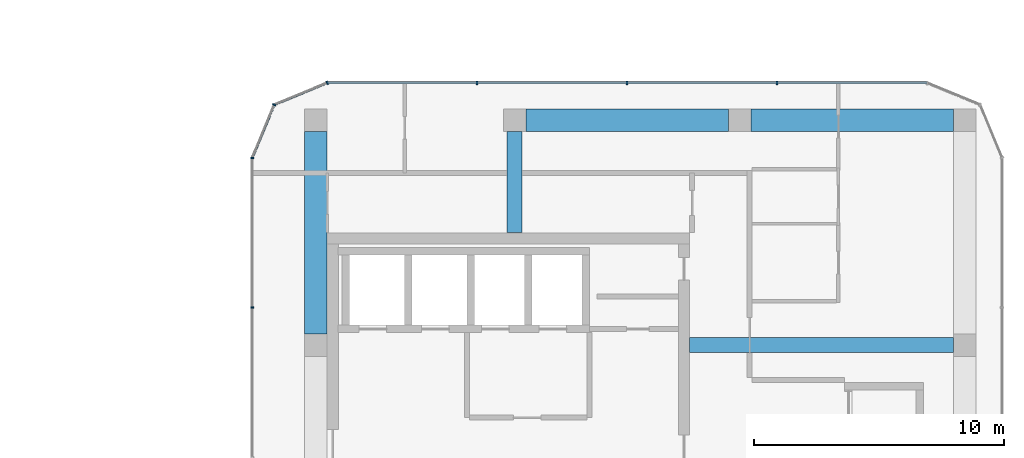
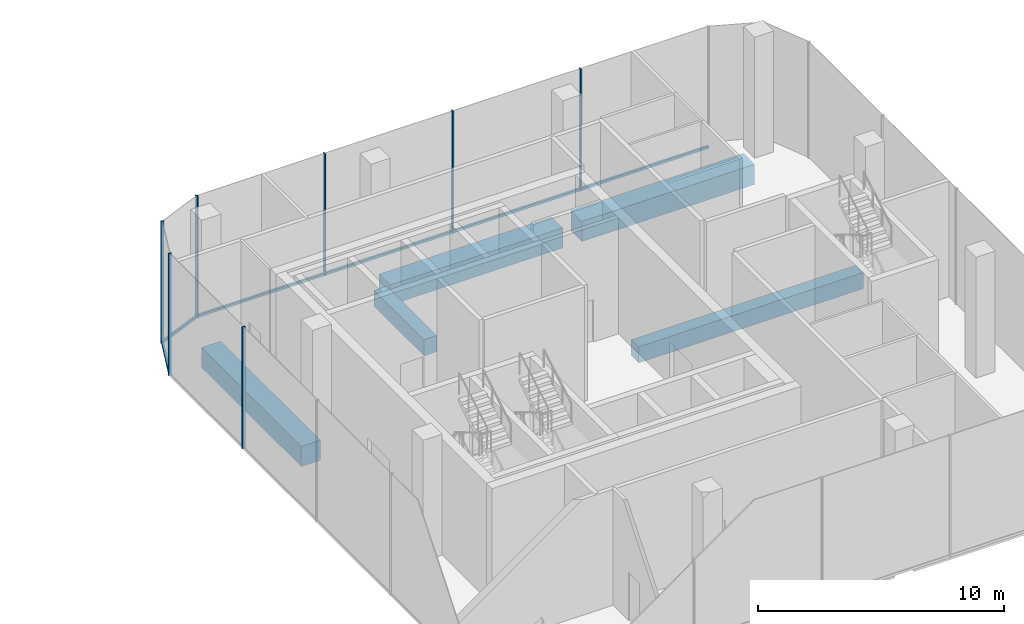
# One storey, part 10 of 24: 10 members, 5 beams, 4 elements without a shape of their own.
"""IFC4 building model written with IfcOpenShell, lengths in metres."""

from ifc_helpers import new_model, si_unit, direction, frame, origin, origin_2d, place, context, subcontext, project, spatial, rectangle, extrude, material, layer, layer_set, material_profile, profile_set, type_object, element, aggregate, save


model = new_model("IFC4")

# Units and contexts
model_context = context("Model", 3, precision=1e-05, world=origin(), true_north=direction((0.0, 1.0)))
body_context = subcontext(model_context, "Body", "Model", "MODEL_VIEW")
ifc_project = project(units=[si_unit("LENGTHUNIT", "METRE"), si_unit("AREAUNIT", "SQUARE_METRE"), si_unit("VOLUMEUNIT", "CUBIC_METRE"), si_unit("PLANEANGLEUNIT", "RADIAN"), si_unit("MASSUNIT", "GRAM", prefix="KILO")], contexts=[model_context])

# Site, building, storey
site_placement = place(None, origin())
site = spatial("IfcSite", under=ifc_project, at=site_placement, CompositionType="ELEMENT")
building_placement = place(site_placement, origin())
building = spatial("IfcBuilding", under=site, at=building_placement, Name="Plateau Cross Towers", CompositionType="ELEMENT")
storey_placement = place(building_placement, frame((0.0, 0.0, 72.300048828125)))
storey = spatial("IfcBuildingStorey", under=building, at=storey_placement, Name="L18", CompositionType="ELEMENT", Elevation=72.300048828125)

# Beams
ifc_material_1 = material(Name="Concrete C60/75", Category="concrete")
ifc_material_profile_1 = material_profile(ifc_material_1, rectangle(XDim=0.89990234375, YDim=1.0, at=origin_2d()), Name="RC 900x1000")
ifc_profile_set_1 = profile_set([ifc_material_profile_1], Name="Concrete C60/75")
beam_type_1 = type_object("IfcBeamType", Name="Belt beam RC 900x1000", PredefinedType="BEAM", material=ifc_profile_set_1)
for number, where, z_axis, x_axis, name in (
    (1, (100.050048828125, 22.5, -0.800048828125), (-1.0, 0.0, 0.0), (0.0, -1.0, 0.0), "B-RB06@L18"),
    (2, (91.050048828125, 22.5, -0.800048828125), (-1.0, 0.0, 0.0), (0.0, -1.0, 0.0), "B-RB07@L18"),
    (3, (74.550048828125, 22.050048828125, -0.800048828125), (0.0, -1.0, 0.0), (1.0, 0.0, 0.0), "B-RB08@L18"),
):
    element("IfcBeam", number, at=place(storey_placement, frame(where, z_axis=z_axis, x_axis=x_axis)), inside=storey, type_object=beam_type_1, Name=name, PredefinedType="BEAM", context=body_context, shape_type="SweptSolid", body=[
        extrude(rectangle(XDim=0.89990234375, YDim=1.0, at=origin_2d()), origin(), (0.0, 0.0, 1.0), 8.10009765625),
    ])
ifc_material_profile_2 = material_profile(ifc_material_1, rectangle(XDim=0.60009765625, YDim=0.800048828125, at=origin_2d()), Name="RC 600x800")
ifc_profile_set_2 = profile_set([ifc_material_profile_2], Name="Concrete C60/75")
beam_type_2 = type_object("IfcBeamType", Name="Core beam RC 600x800", PredefinedType="BEAM", material=ifc_profile_set_2)
beam_1_placement = place(storey_placement, frame((89.5, 13.5, -0.699951171875), z_axis=(1.0, 0.0, 0.0), x_axis=(0.0, 1.0, 0.0)))
element("IfcBeam", 4, at=beam_1_placement, inside=storey, type_object=beam_type_2, Name="B-CB03@L18", PredefinedType="BEAM", context=body_context, shape_type="SweptSolid", body=[
    extrude(rectangle(XDim=0.60009765625, YDim=0.800048828125, at=origin_2d()), origin(), (0.0, 0.0, 1.0), 10.550048828125),
])
beam_2_placement = place(storey_placement, frame((82.5, 18.0, -0.699951171875), z_axis=(0.0, 1.0, 0.0), x_axis=(-1.0, 0.0, 0.0)))
element("IfcBeam", 5, at=beam_2_placement, inside=storey, type_object=beam_type_2, Name="B-CB04@L18", PredefinedType="BEAM", context=body_context, shape_type="SweptSolid", body=[
    extrude(rectangle(XDim=0.60009765625, YDim=0.800048828125, at=origin_2d()), origin(), (0.0, 0.0, 1.0), 4.050048828125),
])

# Curtain wall, members
ifc_material_2 = material(Name="Dark low-iron glass", Category="glass")
ifc_layer = layer(ifc_material_2, 0.239990234375)
ifc_layer_set = layer_set([ifc_layer], Name="Dark low-iron glass")
curtain_wall_type = type_object("IfcCurtainWallType", Name="Curtain wall office unitised CW-F", PredefinedType="NOTDEFINED", material=ifc_layer_set)
curtain_wall_1_placement = place(storey_placement, origin())
curtain_wall_1 = element("IfcCurtainWall", 6, at=curtain_wall_1_placement, inside=storey, type_object=curtain_wall_type, Name="ENV/B/L18/B990_240", PredefinedType="NOTDEFINED")
ifc_material_3 = material(Name="Black anodised aluminium", Category="aluminium")
ifc_material_profile_3 = material_profile(ifc_material_3, rectangle(XDim=0.06005859375, YDim=0.139892578125, at=origin_2d()), Name="MULLION 60x140")
ifc_profile_set_3 = profile_set([ifc_material_profile_3], Name="Black anodised aluminium")
member_type_1 = type_object("IfcMemberType", Name="Mullion 60x140 office unitised", PredefinedType="MULLION", material=ifc_profile_set_3)
member_1_placement = place(storey_placement, frame((93.0, 24.0, -0.300048828125), z_axis=(0.0, 0.0, 1.0), x_axis=(-1.0, 0.0, 0.0)))
member_1 = element("IfcMember", 7, at=member_1_placement, type_object=member_type_1, Name="CW-F mullion 2", PredefinedType="MULLION", context=body_context, shape_type="SweptSolid", body=[
    extrude(rectangle(XDim=0.06005859375, YDim=0.139892578125, at=origin_2d()), origin(), (0.0, 0.0, 1.0), 6.050048828125),
])
member_2_placement = place(storey_placement, frame((87.0, 24.0, -0.300048828125), z_axis=(0.0, 0.0, 1.0), x_axis=(-1.0, 0.0, 0.0)))
member_2 = element("IfcMember", 8, at=member_2_placement, type_object=member_type_1, Name="CW-F mullion 3", PredefinedType="MULLION", context=body_context, shape_type="SweptSolid", body=[
    extrude(rectangle(XDim=0.06005859375, YDim=0.139892578125, at=origin_2d()), origin(), (0.0, 0.0, 1.0), 6.050048828125),
])
member_3_placement = place(storey_placement, frame((81.0, 24.0, -0.300048828125), z_axis=(0.0, 0.0, 1.0), x_axis=(-1.0, 0.0, 0.0)))
member_3 = element("IfcMember", 9, at=member_3_placement, type_object=member_type_1, Name="CW-F mullion 4", PredefinedType="MULLION", context=body_context, shape_type="SweptSolid", body=[
    extrude(rectangle(XDim=0.06005859375, YDim=0.139892578125, at=origin_2d()), origin(), (0.0, 0.0, 1.0), 6.050048828125),
])

# Curtain wall, member
curtain_wall_2_placement = place(storey_placement, origin())
curtain_wall_2 = element("IfcCurtainWall", 10, at=curtain_wall_2_placement, inside=storey, type_object=curtain_wall_type, Name="ENV/B/L18/B750_240", PredefinedType="NOTDEFINED")
member_4_placement = place(storey_placement, frame((75.0, 24.0, -0.300048828125), z_axis=(0.0, 0.0, 1.0), x_axis=(-0.923879457699, -0.382683612978, 0.0)))
member_4 = element("IfcMember", 11, at=member_4_placement, type_object=member_type_1, Name="CW-F mullion 1", PredefinedType="MULLION", context=body_context, shape_type="SweptSolid", body=[
    extrude(rectangle(XDim=0.06005859375, YDim=0.139892578125, at=origin_2d()), origin(), (0.0, 0.0, 1.0), 6.050048828125),
])

curtain_wall_3_placement = place(storey_placement, origin())
curtain_wall_3 = element("IfcCurtainWall", 12, at=curtain_wall_3_placement, inside=storey, type_object=curtain_wall_type, Name="ENV/B/L18/B729_231", PredefinedType="NOTDEFINED")
member_5_placement = place(storey_placement, frame((72.878662109375, 23.121337890625, -0.300048828125), z_axis=(0.0, 0.0, 1.0), x_axis=(-0.382683612978, -0.923879457699, 0.0)))
member_5 = element("IfcMember", 13, at=member_5_placement, type_object=member_type_1, Name="CW-F mullion 1", PredefinedType="MULLION", context=body_context, shape_type="SweptSolid", body=[
    extrude(rectangle(XDim=0.06005859375, YDim=0.139892578125, at=origin_2d()), origin(), (0.0, 0.0, 1.0), 6.050048828125),
])

# Curtain wall, members
curtain_wall_4_placement = place(storey_placement, origin())
curtain_wall_4 = element("IfcCurtainWall", 14, at=curtain_wall_4_placement, inside=storey, type_object=curtain_wall_type, Name="ENV/B/L18/B720_210", PredefinedType="NOTDEFINED")
member_6_placement = place(storey_placement, frame((72.0, 21.0, -0.300048828125), z_axis=(0.0, 0.0, 1.0), x_axis=(0.0, -1.0, 0.0)))
member_6 = element("IfcMember", 15, at=member_6_placement, type_object=member_type_1, Name="CW-F mullion 1", PredefinedType="MULLION", context=body_context, shape_type="SweptSolid", body=[
    extrude(rectangle(XDim=0.06005859375, YDim=0.139892578125, at=origin_2d()), origin(), (0.0, 0.0, 1.0), 6.050048828125),
])
member_7_placement = place(storey_placement, frame((72.0, 15.0, -0.300048828125), z_axis=(0.0, 0.0, 1.0), x_axis=(0.0, -1.0, 0.0)))
member_7 = element("IfcMember", 16, at=member_7_placement, type_object=member_type_1, Name="CW-F mullion 2", PredefinedType="MULLION", context=body_context, shape_type="SweptSolid", body=[
    extrude(rectangle(XDim=0.06005859375, YDim=0.139892578125, at=origin_2d()), origin(), (0.0, 0.0, 1.0), 6.050048828125),
])
aggregate(curtain_wall_4, [member_6, member_7])

# Member
ifc_material_profile_4 = material_profile(ifc_material_3, rectangle(XDim=0.10009765625, YDim=0.1201171875, at=origin_2d()), Name="TRANSOM 100x120")
ifc_profile_set_4 = profile_set([ifc_material_profile_4], Name="Black anodised aluminium")
member_type_2 = type_object("IfcMemberType", Name="Transom 100x120 office unitised", PredefinedType="USERDEFINED", material=ifc_profile_set_4)
member_8_placement = place(storey_placement, frame((99.0, 24.0, -0.239990234375), z_axis=(-1.0, 0.0, 0.0), x_axis=(0.0, -1.0, 0.0)))
member_8 = element("IfcMember", 17, at=member_8_placement, type_object=member_type_2, Name="CW-F transom", ObjectType="TRANSOM", PredefinedType="USERDEFINED", context=body_context, shape_type="SweptSolid", body=[
    extrude(rectangle(XDim=0.10009765625, YDim=0.1201171875, at=origin_2d()), origin(), (0.0, 0.0, 1.0), 24.0),
])

aggregate(curtain_wall_1, [member_1, member_2, member_3, member_8])

member_9_placement = place(storey_placement, frame((75.0, 24.0, -0.239990234375), z_axis=(-0.923883353507, -0.382674207535, 0.0), x_axis=(0.382674207535, -0.923883353507, 0.0)))
member_9 = element("IfcMember", 18, at=member_9_placement, type_object=member_type_2, Name="CW-F transom", ObjectType="TRANSOM", PredefinedType="USERDEFINED", context=body_context, shape_type="SweptSolid", body=[
    extrude(rectangle(XDim=0.10009765625, YDim=0.1201171875, at=origin_2d()), origin(), (0.0, 0.0, 1.0), 2.296142578125),
])

aggregate(curtain_wall_2, [member_4, member_9])

member_10_placement = place(storey_placement, frame((72.878662109375, 23.121337890625, -0.239990234375), z_axis=(-0.382674207535, -0.923883353507, 0.0), x_axis=(0.923883353507, -0.382674207535, 0.0)))
member_10 = element("IfcMember", 19, at=member_10_placement, type_object=member_type_2, Name="CW-F transom", ObjectType="TRANSOM", PredefinedType="USERDEFINED", context=body_context, shape_type="SweptSolid", body=[
    extrude(rectangle(XDim=0.10009765625, YDim=0.1201171875, at=origin_2d()), origin(), (0.0, 0.0, 1.0), 2.296142578125),
])

aggregate(curtain_wall_3, [member_5, member_10])

save(model, "model.ifc")
